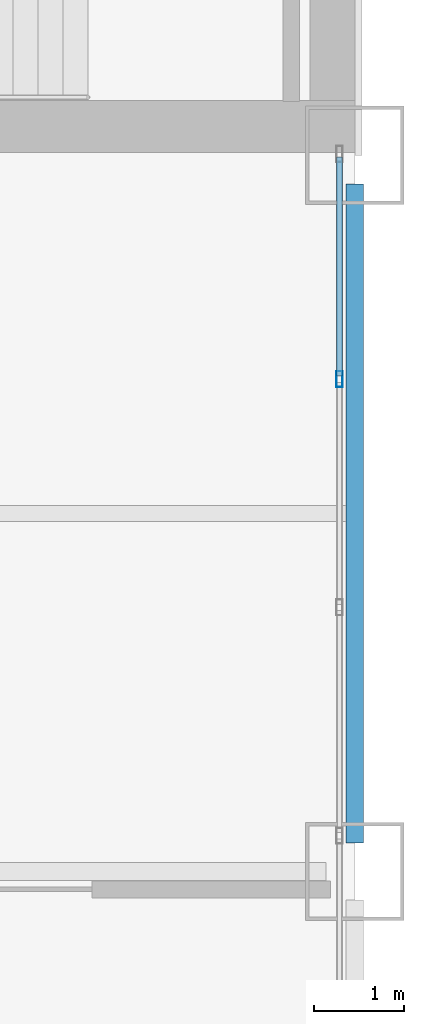
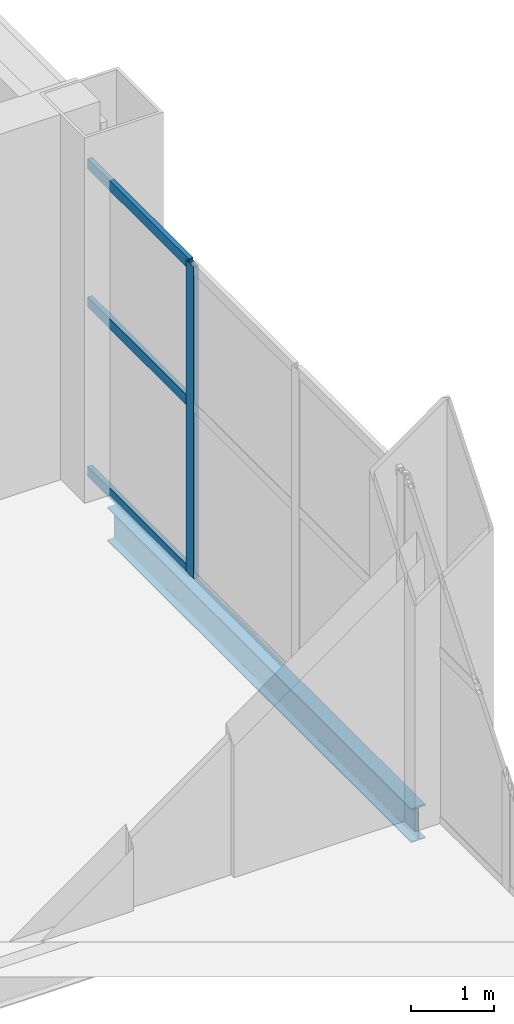
# One storey, part 13 of 24: 4 members, 1 beam, 1 element without a shape of its own.
"""IFC4 building model written with IfcOpenShell, lengths in metres."""

from ifc_helpers import new_model, si_unit, direction, frame, origin, origin_2d, place, context, subcontext, project, spatial, hollow_rectangle, i_section, extrude, material, layer, layer_set, material_profile, profile_set, type_object, element, aggregate, save


model = new_model("IFC4")

# Units and contexts
model_context = context("Model", 3, precision=1e-05, world=origin(), true_north=direction((0.0, 1.0)))
body_context = subcontext(model_context, "Body", "Model", "MODEL_VIEW")
ifc_project = project(units=[si_unit("LENGTHUNIT", "METRE"), si_unit("AREAUNIT", "SQUARE_METRE"), si_unit("VOLUMEUNIT", "CUBIC_METRE"), si_unit("PLANEANGLEUNIT", "RADIAN"), si_unit("MASSUNIT", "GRAM", prefix="KILO")], contexts=[model_context])

# Site, building, storey
site_placement = place(None, origin())
site = spatial("IfcSite", under=ifc_project, at=site_placement, CompositionType="ELEMENT")
building_placement = place(site_placement, origin())
building = spatial("IfcBuilding", under=site, at=building_placement, Name="Qianrong Seaharbour Tower", CompositionType="ELEMENT")
storey_placement = place(building_placement, frame((0.0, 0.0, 195.0)))
storey = spatial("IfcBuildingStorey", under=building, at=storey_placement, Name="L47", CompositionType="ELEMENT", Elevation=195.0)

# Beam
ifc_material_1 = material(Name="Structural steel SN490B", Category="steel")
ifc_material_profile_1 = material_profile(ifc_material_1, i_section(OverallWidth=0.199951171875, OverallDepth=0.5, WebThickness=0.010009765625, FlangeThickness=0.01611328125, FilletRadius=0.02001953125, at=origin_2d()), Name="H500x200x10x16")
ifc_profile_set_1 = profile_set([ifc_material_profile_1], Name="Structural steel SN490B")
beam_type = type_object("IfcBeamType", Name="BM-SP-500", PredefinedType="SPANDREL", material=ifc_profile_set_1)
beam_placement = place(storey_placement, frame((64.0, 28.320068359375, -0.60009765625), z_axis=(0.0, 1.0, 0.0), x_axis=(-1.0, 0.0, 0.0)))
element("IfcBeam", 1, at=beam_placement, inside=storey, type_object=beam_type, Name="L47 Spandrel Girder G9 GE-GF", PredefinedType="SPANDREL", context=body_context, shape_type="SweptSolid", body=[
    extrude(i_section(OverallWidth=0.199951171875, OverallDepth=0.5, WebThickness=0.010009765625, FlangeThickness=0.01611328125, FilletRadius=0.02001953125, at=origin_2d()), origin(), (0.0, 0.0, 1.0), 7.35986328125),
])

# Curtain wall, members
ifc_material_2 = material(Name="Anodised aluminium 6063-T6 and laminated low-e glass", Category="aluminium")
ifc_layer = layer(ifc_material_2, 0.18505859375)
ifc_layer_set = layer_set([ifc_layer], Name="Anodised aluminium 6063-T6 and laminated low-e glass")
curtain_wall_type = type_object("IfcCurtainWallType", Name="CW-SYS-4", PredefinedType="NOTDEFINED", material=ifc_layer_set)
curtain_wall_placement = place(storey_placement, origin())
curtain_wall = element("IfcCurtainWall", 2, at=curtain_wall_placement, inside=storey, type_object=curtain_wall_type, Name="L47 Refuge Acoustic Louvre Curtain Wall EAST_WING", PredefinedType="NOTDEFINED")
ifc_material_3 = material(Name="Extruded aluminium 6063-T6", Category="aluminium")
ifc_material_profile_2 = material_profile(ifc_material_3, hollow_rectangle(XDim=0.070068359375, YDim=0.179931640625, WallThickness=0.00390625, at=origin_2d()), Name="ALU-MUL-180x70x4")
ifc_profile_set_2 = profile_set([ifc_material_profile_2], Name="Extruded aluminium 6063-T6")
member_type_1 = type_object("IfcMemberType", Name="CW-MUL-180", PredefinedType="MULLION", material=ifc_profile_set_2)
member_1_placement = place(storey_placement, frame((63.830078125, 33.5, 0.0), z_axis=(0.0, 0.0, 1.0), x_axis=(1.0, 0.0, 0.0)))
member_1 = element("IfcMember", 3, at=member_1_placement, type_object=member_type_1, Name="CW-4 mullion 2", PredefinedType="MULLION", context=body_context, shape_type="SweptSolid", body=[
    extrude(hollow_rectangle(XDim=0.070068359375, YDim=0.179931640625, WallThickness=0.00390625, at=origin_2d()), origin(), (0.0, 0.0, 1.0), 4.610107421875),
])
ifc_material_profile_3 = material_profile(ifc_material_3, hollow_rectangle(XDim=0.06494140625, YDim=0.14990234375, WallThickness=0.00390625, at=origin_2d()), Name="ALU-TRN-150x65x4")
ifc_profile_set_3 = profile_set([ifc_material_profile_3], Name="Extruded aluminium 6063-T6")
member_type_2 = type_object("IfcMemberType", Name="CW-TRN-150", PredefinedType="USERDEFINED", material=ifc_profile_set_3)
member_2_placement = place(storey_placement, frame((63.830078125, 35.97998046875, 0.032470703125), z_axis=(0.0, -1.0, 0.0), x_axis=(1.0, 0.0, 0.0)))
member_2 = element("IfcMember", 4, at=member_2_placement, type_object=member_type_2, Name="CW-4 transom 1.1", ObjectType="TRANSOM", PredefinedType="USERDEFINED", context=body_context, shape_type="SweptSolid", body=[
    extrude(hollow_rectangle(XDim=0.06494140625, YDim=0.14990234375, WallThickness=0.00390625, at=origin_2d()), origin(), (0.0, 0.0, 1.0), 2.445068359375),
])
member_3_placement = place(storey_placement, frame((63.830078125, 35.97998046875, 2.535400390625), z_axis=(0.0, -1.0, 0.0), x_axis=(1.0, 0.0, 0.0)))
member_3 = element("IfcMember", 5, at=member_3_placement, type_object=member_type_2, Name="CW-4 transom 1.2", ObjectType="TRANSOM", PredefinedType="USERDEFINED", context=body_context, shape_type="SweptSolid", body=[
    extrude(hollow_rectangle(XDim=0.06494140625, YDim=0.14990234375, WallThickness=0.00390625, at=origin_2d()), origin(), (0.0, 0.0, 1.0), 2.445068359375),
])
member_4_placement = place(storey_placement, frame((63.830078125, 35.97998046875, 4.577392578125), z_axis=(0.0, -1.0, 0.0), x_axis=(1.0, 0.0, 0.0)))
member_4 = element("IfcMember", 6, at=member_4_placement, type_object=member_type_2, Name="CW-4 transom 1.3", ObjectType="TRANSOM", PredefinedType="USERDEFINED", context=body_context, shape_type="SweptSolid", body=[
    extrude(hollow_rectangle(XDim=0.06494140625, YDim=0.14990234375, WallThickness=0.00390625, at=origin_2d()), origin(), (0.0, 0.0, 1.0), 2.445068359375),
])
aggregate(curtain_wall, [member_1, member_2, member_3, member_4])

save(model, "model.ifc")
